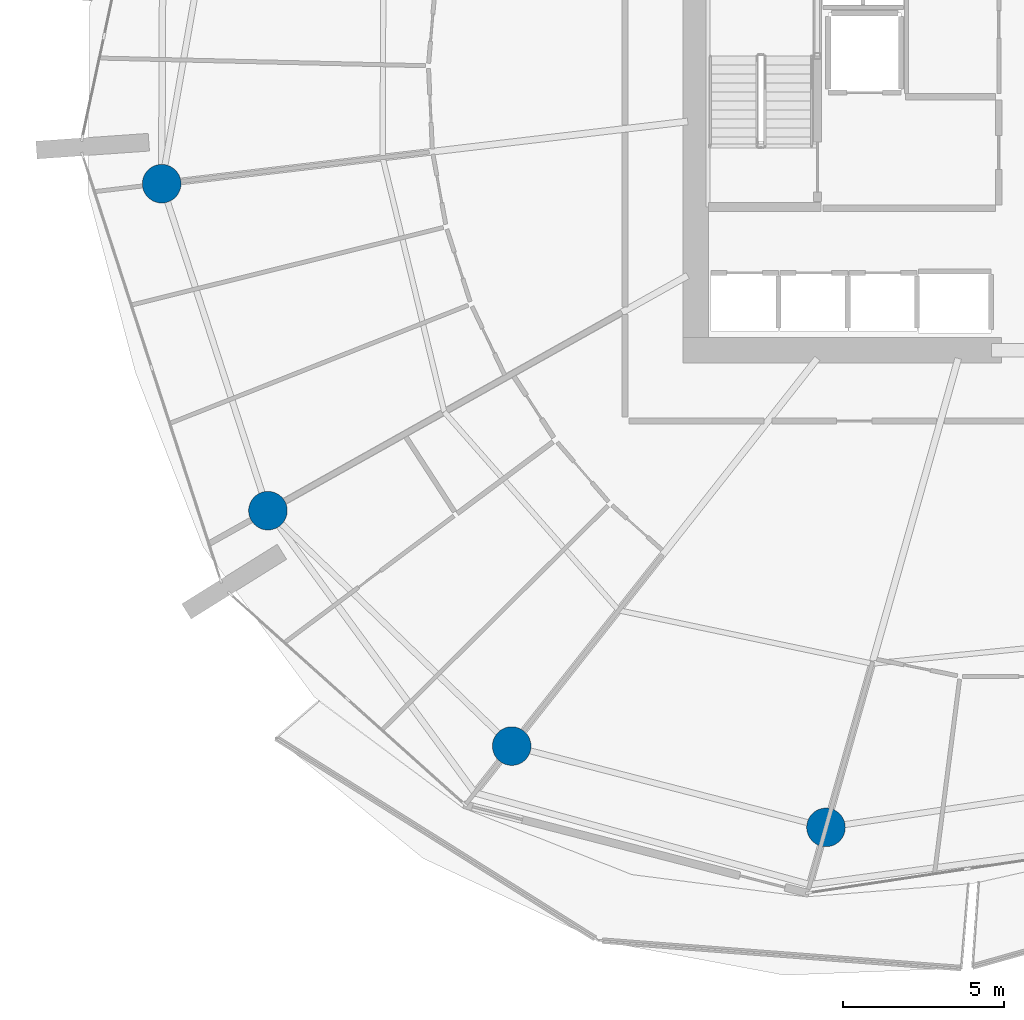
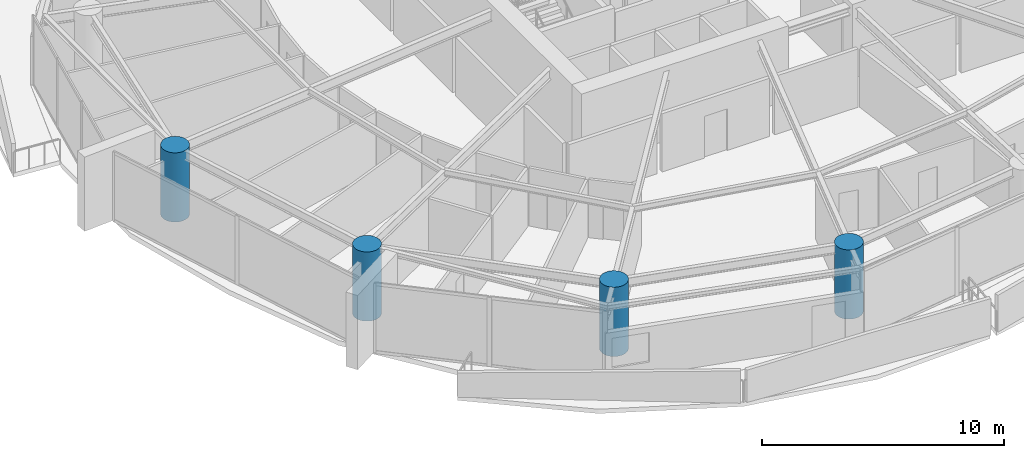
# One storey, part 1 of 23: 4 columns.
"""IFC4 building model written with IfcOpenShell, lengths in metres."""

import ifcopenshell
import ifcopenshell.guid

model = None  # the IFC model being written
_history = None  # IfcOwnerHistory: only IFC2X3 demands one
_inside = {}  # id of a spatial element -> (the spatial element, [elements in it])
_under = {}  # id of a project, library or spatial element -> (it, [spatial elements below it])
_declared = {}  # id of a project -> (the project, [libraries it declares])
_typed = {}  # id of a type object -> (the type object, [elements of that type])
_made_of = {}  # id of a material, layer set ... -> (it, [elements and type objects made of it])


def new_model(schema):
    """Start an empty IFC model of exactly this schema.

    Asked for "IFC4X3", IfcOpenShell would pick the latest addendum, in which some entities
    have other attributes; the version numbers below select the first issue.
    IFC2X3 requires an IfcOwnerHistory on every rooted entity: one is made here for all.
    """
    global model, _history
    if schema == "IFC4X3":
        model = ifcopenshell.file(schema_version=(4, 3, 0, 0))
    else:
        model = ifcopenshell.file(schema=schema)
    _inside.clear()
    _under.clear()
    _declared.clear()
    _typed.clear()
    _made_of.clear()
    _history = None
    if model.schema == "IFC2X3":
        org = make("IfcOrganization", Name="unknown")
        user = make(
            "IfcPersonAndOrganization",
            ThePerson=make("IfcPerson", FamilyName="unknown"),
            TheOrganization=org,
        )
        app = make(
            "IfcApplication",
            ApplicationDeveloper=org,
            Version="unknown",
            ApplicationFullName="unknown",
            ApplicationIdentifier="unknown",
        )
        _history = make(
            "IfcOwnerHistory",
            OwningUser=user,
            OwningApplication=app,
            ChangeAction="ADDED",
            CreationDate=0,
        )
    return model


def make(cls, **values):
    """One entity of the class cls with the attributes given. An attribute that is None is left unset."""
    return model.create_entity(
        cls, **{name: value for name, value in values.items() if value is not None}
    )


def rooted(cls, **values):
    """An entity with a GlobalId (a new one), such as an element, a storey or a relation."""
    return make(cls, GlobalId=ifcopenshell.guid.new(), OwnerHistory=_history, **values)


def si_unit(unit_type, name, prefix=None):
    """IfcSIUnit, for example si_unit("LENGTHUNIT", "METRE", prefix="MILLI")."""
    return make("IfcSIUnit", UnitType=unit_type, Prefix=prefix, Name=name)


def assignment(units):
    """IfcUnitAssignment: the units of a project."""
    return None if units is None else make("IfcUnitAssignment", Units=units)


def point(xyz):
    """IfcCartesianPoint."""
    return None if xyz is None else make("IfcCartesianPoint", Coordinates=xyz)


def direction(xyz):
    """IfcDirection."""
    return None if xyz is None else make("IfcDirection", DirectionRatios=xyz)


def frame(location, z_axis=None, x_axis=None):
    """IfcAxis2Placement3D, a coordinate frame: its origin and axes. An axis left out is left unset."""
    return make(
        "IfcAxis2Placement3D",
        Location=point(location),
        Axis=direction(z_axis),
        RefDirection=direction(x_axis),
    )


def frame_2d(location, x_axis=None):
    """IfcAxis2Placement2D, a coordinate frame in the plane: its origin and x axis."""
    return make(
        "IfcAxis2Placement2D", Location=point(location), RefDirection=direction(x_axis)
    )


def origin():
    """The frame at (0, 0, 0) with its axes left unset."""
    return frame((0.0, 0.0, 0.0))


def origin_2d():
    """The frame at (0, 0) in the plane with its x axis left unset."""
    return frame_2d((0.0, 0.0))


def place(relative_to, where):
    """IfcLocalPlacement: puts the frame where relative to a parent placement (None: the world)."""
    return make(
        "IfcLocalPlacement", PlacementRelTo=relative_to, RelativePlacement=where
    )


def context(
    kind, dimensions, precision=None, world=None, true_north=None, identifier=None
):
    """IfcGeometricRepresentationContext, for example the 3D "Model" context."""
    return make(
        "IfcGeometricRepresentationContext",
        ContextIdentifier=identifier,
        ContextType=kind,
        CoordinateSpaceDimension=dimensions,
        Precision=precision,
        WorldCoordinateSystem=world,
        TrueNorth=true_north,
    )


def subcontext(parent, identifier, kind, view, scale=None):
    """IfcGeometricRepresentationSubContext, for example "Body" below "Model"."""
    return make(
        "IfcGeometricRepresentationSubContext",
        ContextIdentifier=identifier,
        ContextType=kind,
        ParentContext=parent,
        TargetScale=scale,
        TargetView=view,
    )


def project(units=None, contexts=None):
    """IfcProject with its units and contexts."""
    return rooted(
        "IfcProject",
        Name="project",
        RepresentationContexts=contexts,
        UnitsInContext=assignment(units),
    )


def spatial(cls, under=None, at=None, **own):
    """A site, building, storey or space (cls), placed at a placement, below another one or the project."""
    s = rooted(cls, ObjectPlacement=at, **own)
    if under is not None:
        _under.setdefault(under.id(), (under, []))[1].append(s)
    return s


def profile(cls, at=None, kind="AREA", **sizes):
    """A parametric profile (cls). Its sizes go by their IFC names, for example OverallWidth=200.0."""
    return make(cls, ProfileType=kind, Position=at, **sizes)


def circle(**sizes):
    """IfcCircleProfileDef."""
    return profile("IfcCircleProfileDef", **sizes)


def extrude(swept, where, along, depth):
    """IfcExtrudedAreaSolid: the profile swept, set in the frame where, extruded along a direction by depth."""
    return make(
        "IfcExtrudedAreaSolid",
        SweptArea=swept,
        Position=where,
        ExtrudedDirection=direction(along),
        Depth=depth,
    )


def shape(context_of_items, identifier, shape_type, items):
    """IfcShapeRepresentation: the items that make up one representation, for example the "Body"."""
    return make(
        "IfcShapeRepresentation",
        ContextOfItems=context_of_items,
        RepresentationIdentifier=identifier,
        RepresentationType=shape_type,
        Items=items,
    )


def material(Name=None, Category=None):
    """IfcMaterial."""
    return make("IfcMaterial", Name=Name, Category=Category)


def material_profile(
    of_material, cross_section, Name=None, Category=None, Priority=None
):
    """IfcMaterialProfile: a cross section and its material."""
    return make(
        "IfcMaterialProfile",
        Name=Name,
        Material=of_material,
        Profile=cross_section,
        Priority=Priority,
        Category=Category,
    )


def profile_set(profiles, Name=None, composite=None):
    """IfcMaterialProfileSet."""
    return make(
        "IfcMaterialProfileSet",
        Name=Name,
        MaterialProfiles=profiles,
        CompositeProfile=composite,
    )


def made_of(thing, what):
    """Note that an element or type object is made of a material, layer set ...; save() writes the relation."""
    if what is not None:
        _made_of.setdefault(what.id(), (what, []))[1].append(thing)
    return thing


def type_object(cls, material=None, **own):
    """A type object (cls), such as IfcWallType, which elements share."""
    return made_of(rooted(cls, **own), material)


def element(
    cls,
    number,
    at=None,
    inside=None,
    cuts=None,
    type_object=None,
    material=None,
    context=None,
    identifier="Body",
    shape_type=None,
    held_by="IfcProductDefinitionShape",
    body=None,
    shapes=None,
    **own,
):
    """One element of the class cls, such as IfcWall. Its Tag is "e" and its number.

    at: its placement. inside: the storey or other place that contains it. cuts: it is an
    opening in that element (IfcRelVoidsElement). A single representation is given by context,
    identifier, shape_type and body (its items); several are given by shapes. held_by: the class
    of the entity that holds the representations. save() writes the other relations.
    """
    e = rooted(cls, Tag="e%d" % number, ObjectPlacement=at, **own)
    if body is not None:
        shapes = [shape(context, identifier, shape_type, body)]
    if shapes is not None:
        e.Representation = make(held_by, Representations=shapes)
    if inside is not None:
        _inside.setdefault(inside.id(), (inside, []))[1].append(e)
    if cuts is not None:
        rooted(
            "IfcRelVoidsElement", RelatingBuildingElement=cuts, RelatedOpeningElement=e
        )
    if type_object is not None:
        _typed.setdefault(type_object.id(), (type_object, []))[1].append(e)
    return made_of(e, material)


def aggregate(whole, parts):
    """IfcRelAggregates: a whole, such as a stair, and the parts it consists of."""
    return rooted("IfcRelAggregates", RelatingObject=whole, RelatedObjects=parts)


def save(model, path):
    """Write the relations noted so far, then the file.

    IfcRelAggregates (storeys below a building ...), IfcRelContainedInSpatialStructure (elements
    in a storey), IfcRelDefinesByType, IfcRelAssociatesMaterial and IfcRelDeclares: one each for
    every whole, place, type object, material and project.
    """
    for whole, parts in _under.values():
        aggregate(whole, parts)
    for where, things in _inside.values():
        rooted(
            "IfcRelContainedInSpatialStructure",
            RelatedElements=things,
            RelatingStructure=where,
        )
    for kind, things in _typed.values():
        rooted("IfcRelDefinesByType", RelatedObjects=things, RelatingType=kind)
    for what, things in _made_of.values():
        rooted("IfcRelAssociatesMaterial", RelatedObjects=things, RelatingMaterial=what)
    for by, libraries in _declared.values():
        rooted("IfcRelDeclares", RelatingContext=by, RelatedDefinitions=libraries)
    model.write(path)


model = new_model("IFC4")

# Units and contexts
model_context = context("Model", 3, precision=1e-05, world=origin(), true_north=direction((0.0, 1.0)))
body_context = subcontext(model_context, "Body", "Model", "MODEL_VIEW")
ifc_project = project(units=[si_unit("LENGTHUNIT", "METRE"), si_unit("AREAUNIT", "SQUARE_METRE"), si_unit("VOLUMEUNIT", "CUBIC_METRE"), si_unit("PLANEANGLEUNIT", "RADIAN"), si_unit("MASSUNIT", "GRAM", prefix="KILO")], contexts=[model_context])

# Site, building, storey
site_placement = place(None, origin())
site = spatial("IfcSite", under=ifc_project, at=site_placement, CompositionType="ELEMENT")
building_placement = place(site_placement, origin())
building = spatial("IfcBuilding", under=site, at=building_placement, Name="Kazma Halo Residences", CompositionType="ELEMENT")
storey_placement = place(building_placement, frame((0.0, 0.0, 78.89990234375)))
storey = spatial("IfcBuildingStorey", under=building, at=storey_placement, Name="L19", CompositionType="ELEMENT", Elevation=78.89990234375)

# Columns
ifc_material = material(Name="Concrete C80/95", Category="concrete")
ifc_material_profile = material_profile(ifc_material, circle(Radius=0.60009765625, at=origin_2d()), Name="CIRC1200")
ifc_profile_set = profile_set([ifc_material_profile], Name="Concrete C80/95")
column_type = type_object("IfcColumnType", Name="COL-PERIM-1200", PredefinedType="COLUMN", material=ifc_profile_set)
for number, where, z_axis, x_axis, name in (
    (1, (20.79345703125, 38.77978515625, 0.0), (0.0, 0.0, 1.0), (1.0, 0.0, 0.0), "L19 perimeter ring column P08"),
    (2, (24.0966796875, 28.613525390625, 0.0), (0.0, 0.0, 1.0), (1.0, 0.0, 0.0), "L19 perimeter ring column P09"),
    (3, (31.676513671875, 21.293701171875, 0.0), (0.0, 0.0, 1.0), (1.0, 0.0, 0.0), "L19 perimeter ring column P10"),
    (4, (41.447265625, 18.765869140625, 0.0), (0.0, 0.0, 1.0), (1.0, 0.0, 0.0), "L19 perimeter ring column P11"),
):
    element("IfcColumn", number, at=place(storey_placement, frame(where, z_axis=z_axis, x_axis=x_axis)), inside=storey, type_object=column_type, Name=name, PredefinedType="COLUMN", context=body_context, shape_type="SweptSolid", body=[
        extrude(circle(Radius=0.60009765625, at=origin_2d()), origin(), (0.0, 0.0, 1.0), 3.5),
    ])

save(model, "model.ifc")
